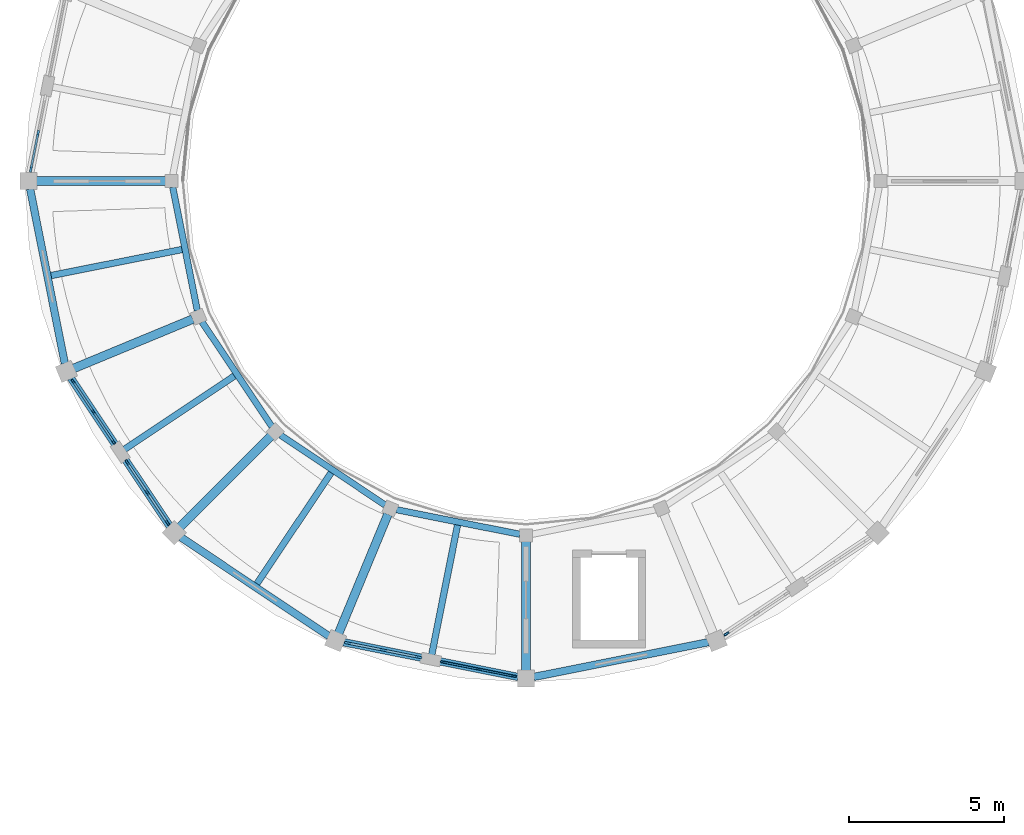
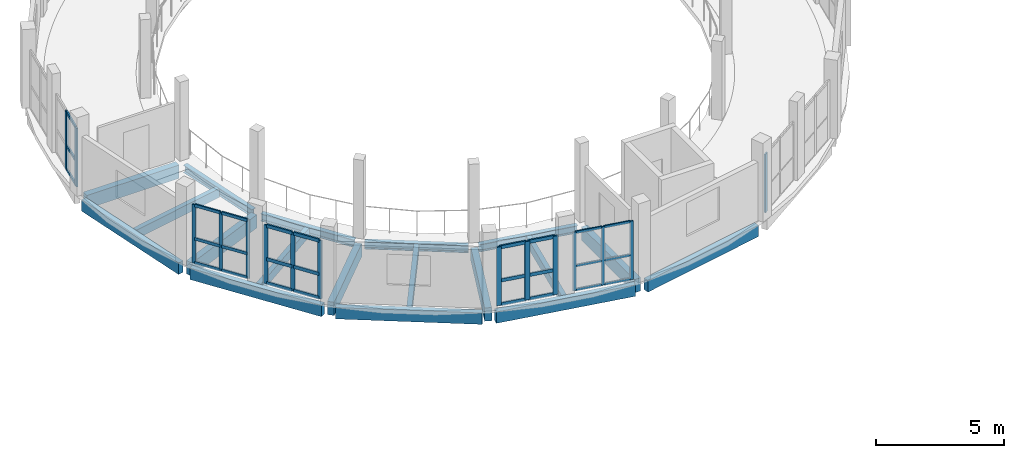
# One storey, part 33 of 77: 42 members, 18 beams, 6 elements without a shape of their own.
"""IFC4 building model written with IfcOpenShell, lengths in metres."""

import ifcopenshell
import ifcopenshell.guid

model = None  # the IFC model being written
_history = None  # IfcOwnerHistory: only IFC2X3 demands one
_inside = {}  # id of a spatial element -> (the spatial element, [elements in it])
_under = {}  # id of a project, library or spatial element -> (it, [spatial elements below it])
_declared = {}  # id of a project -> (the project, [libraries it declares])
_typed = {}  # id of a type object -> (the type object, [elements of that type])
_made_of = {}  # id of a material, layer set ... -> (it, [elements and type objects made of it])


def new_model(schema):
    """Start an empty IFC model of exactly this schema.

    Asked for "IFC4X3", IfcOpenShell would pick the latest addendum, in which some entities
    have other attributes; the version numbers below select the first issue.
    IFC2X3 requires an IfcOwnerHistory on every rooted entity: one is made here for all.
    """
    global model, _history
    if schema == "IFC4X3":
        model = ifcopenshell.file(schema_version=(4, 3, 0, 0))
    else:
        model = ifcopenshell.file(schema=schema)
    _inside.clear()
    _under.clear()
    _declared.clear()
    _typed.clear()
    _made_of.clear()
    _history = None
    if model.schema == "IFC2X3":
        org = make("IfcOrganization", Name="unknown")
        user = make(
            "IfcPersonAndOrganization",
            ThePerson=make("IfcPerson", FamilyName="unknown"),
            TheOrganization=org,
        )
        app = make(
            "IfcApplication",
            ApplicationDeveloper=org,
            Version="unknown",
            ApplicationFullName="unknown",
            ApplicationIdentifier="unknown",
        )
        _history = make(
            "IfcOwnerHistory",
            OwningUser=user,
            OwningApplication=app,
            ChangeAction="ADDED",
            CreationDate=0,
        )
    return model


def make(cls, **values):
    """One entity of the class cls with the attributes given. An attribute that is None is left unset."""
    return model.create_entity(
        cls, **{name: value for name, value in values.items() if value is not None}
    )


def rooted(cls, **values):
    """An entity with a GlobalId (a new one), such as an element, a storey or a relation."""
    return make(cls, GlobalId=ifcopenshell.guid.new(), OwnerHistory=_history, **values)


def si_unit(unit_type, name, prefix=None):
    """IfcSIUnit, for example si_unit("LENGTHUNIT", "METRE", prefix="MILLI")."""
    return make("IfcSIUnit", UnitType=unit_type, Prefix=prefix, Name=name)


def assignment(units):
    """IfcUnitAssignment: the units of a project."""
    return None if units is None else make("IfcUnitAssignment", Units=units)


def point(xyz):
    """IfcCartesianPoint."""
    return None if xyz is None else make("IfcCartesianPoint", Coordinates=xyz)


def direction(xyz):
    """IfcDirection."""
    return None if xyz is None else make("IfcDirection", DirectionRatios=xyz)


def frame(location, z_axis=None, x_axis=None):
    """IfcAxis2Placement3D, a coordinate frame: its origin and axes. An axis left out is left unset."""
    return make(
        "IfcAxis2Placement3D",
        Location=point(location),
        Axis=direction(z_axis),
        RefDirection=direction(x_axis),
    )


def frame_2d(location, x_axis=None):
    """IfcAxis2Placement2D, a coordinate frame in the plane: its origin and x axis."""
    return make(
        "IfcAxis2Placement2D", Location=point(location), RefDirection=direction(x_axis)
    )


def origin():
    """The frame at (0, 0, 0) with its axes left unset."""
    return frame((0.0, 0.0, 0.0))


def origin_2d():
    """The frame at (0, 0) in the plane with its x axis left unset."""
    return frame_2d((0.0, 0.0))


def place(relative_to, where):
    """IfcLocalPlacement: puts the frame where relative to a parent placement (None: the world)."""
    return make(
        "IfcLocalPlacement", PlacementRelTo=relative_to, RelativePlacement=where
    )


def context(
    kind, dimensions, precision=None, world=None, true_north=None, identifier=None
):
    """IfcGeometricRepresentationContext, for example the 3D "Model" context."""
    return make(
        "IfcGeometricRepresentationContext",
        ContextIdentifier=identifier,
        ContextType=kind,
        CoordinateSpaceDimension=dimensions,
        Precision=precision,
        WorldCoordinateSystem=world,
        TrueNorth=true_north,
    )


def subcontext(parent, identifier, kind, view, scale=None):
    """IfcGeometricRepresentationSubContext, for example "Body" below "Model"."""
    return make(
        "IfcGeometricRepresentationSubContext",
        ContextIdentifier=identifier,
        ContextType=kind,
        ParentContext=parent,
        TargetScale=scale,
        TargetView=view,
    )


def project(units=None, contexts=None):
    """IfcProject with its units and contexts."""
    return rooted(
        "IfcProject",
        Name="project",
        RepresentationContexts=contexts,
        UnitsInContext=assignment(units),
    )


def spatial(cls, under=None, at=None, **own):
    """A site, building, storey or space (cls), placed at a placement, below another one or the project."""
    s = rooted(cls, ObjectPlacement=at, **own)
    if under is not None:
        _under.setdefault(under.id(), (under, []))[1].append(s)
    return s


def profile(cls, at=None, kind="AREA", **sizes):
    """A parametric profile (cls). Its sizes go by their IFC names, for example OverallWidth=200.0."""
    return make(cls, ProfileType=kind, Position=at, **sizes)


def rectangle(**sizes):
    """IfcRectangleProfileDef."""
    return profile("IfcRectangleProfileDef", **sizes)


def i_section(**sizes):
    """IfcIShapeProfileDef."""
    return profile("IfcIShapeProfileDef", **sizes)


def extrude(swept, where, along, depth):
    """IfcExtrudedAreaSolid: the profile swept, set in the frame where, extruded along a direction by depth."""
    return make(
        "IfcExtrudedAreaSolid",
        SweptArea=swept,
        Position=where,
        ExtrudedDirection=direction(along),
        Depth=depth,
    )


def shape(context_of_items, identifier, shape_type, items):
    """IfcShapeRepresentation: the items that make up one representation, for example the "Body"."""
    return make(
        "IfcShapeRepresentation",
        ContextOfItems=context_of_items,
        RepresentationIdentifier=identifier,
        RepresentationType=shape_type,
        Items=items,
    )


def material(Name=None, Category=None):
    """IfcMaterial."""
    return make("IfcMaterial", Name=Name, Category=Category)


def layer(
    of_material, thickness, ventilated=None, Name=None, Category=None, Priority=None
):
    """IfcMaterialLayer: one layer of a wall or slab, of a material (None: an air gap)."""
    return make(
        "IfcMaterialLayer",
        Material=of_material,
        LayerThickness=thickness,
        IsVentilated=ventilated,
        Name=Name,
        Category=Category,
        Priority=Priority,
    )


def layer_set(layers, Name=None):
    """IfcMaterialLayerSet."""
    return make("IfcMaterialLayerSet", MaterialLayers=layers, LayerSetName=Name)


def material_profile(
    of_material, cross_section, Name=None, Category=None, Priority=None
):
    """IfcMaterialProfile: a cross section and its material."""
    return make(
        "IfcMaterialProfile",
        Name=Name,
        Material=of_material,
        Profile=cross_section,
        Priority=Priority,
        Category=Category,
    )


def profile_set(profiles, Name=None, composite=None):
    """IfcMaterialProfileSet."""
    return make(
        "IfcMaterialProfileSet",
        Name=Name,
        MaterialProfiles=profiles,
        CompositeProfile=composite,
    )


def made_of(thing, what):
    """Note that an element or type object is made of a material, layer set ...; save() writes the relation."""
    if what is not None:
        _made_of.setdefault(what.id(), (what, []))[1].append(thing)
    return thing


def type_object(cls, material=None, **own):
    """A type object (cls), such as IfcWallType, which elements share."""
    return made_of(rooted(cls, **own), material)


def element(
    cls,
    number,
    at=None,
    inside=None,
    cuts=None,
    type_object=None,
    material=None,
    context=None,
    identifier="Body",
    shape_type=None,
    held_by="IfcProductDefinitionShape",
    body=None,
    shapes=None,
    **own,
):
    """One element of the class cls, such as IfcWall. Its Tag is "e" and its number.

    at: its placement. inside: the storey or other place that contains it. cuts: it is an
    opening in that element (IfcRelVoidsElement). A single representation is given by context,
    identifier, shape_type and body (its items); several are given by shapes. held_by: the class
    of the entity that holds the representations. save() writes the other relations.
    """
    e = rooted(cls, Tag="e%d" % number, ObjectPlacement=at, **own)
    if body is not None:
        shapes = [shape(context, identifier, shape_type, body)]
    if shapes is not None:
        e.Representation = make(held_by, Representations=shapes)
    if inside is not None:
        _inside.setdefault(inside.id(), (inside, []))[1].append(e)
    if cuts is not None:
        rooted(
            "IfcRelVoidsElement", RelatingBuildingElement=cuts, RelatedOpeningElement=e
        )
    if type_object is not None:
        _typed.setdefault(type_object.id(), (type_object, []))[1].append(e)
    return made_of(e, material)


def aggregate(whole, parts):
    """IfcRelAggregates: a whole, such as a stair, and the parts it consists of."""
    return rooted("IfcRelAggregates", RelatingObject=whole, RelatedObjects=parts)


def save(model, path):
    """Write the relations noted so far, then the file.

    IfcRelAggregates (storeys below a building ...), IfcRelContainedInSpatialStructure (elements
    in a storey), IfcRelDefinesByType, IfcRelAssociatesMaterial and IfcRelDeclares: one each for
    every whole, place, type object, material and project.
    """
    for whole, parts in _under.values():
        aggregate(whole, parts)
    for where, things in _inside.values():
        rooted(
            "IfcRelContainedInSpatialStructure",
            RelatedElements=things,
            RelatingStructure=where,
        )
    for kind, things in _typed.values():
        rooted("IfcRelDefinesByType", RelatedObjects=things, RelatingType=kind)
    for what, things in _made_of.values():
        rooted("IfcRelAssociatesMaterial", RelatedObjects=things, RelatingMaterial=what)
    for by, libraries in _declared.values():
        rooted("IfcRelDeclares", RelatingContext=by, RelatedDefinitions=libraries)
    model.write(path)


model = new_model("IFC4")

# Units and contexts
model_context = context("Model", 3, precision=1e-05, world=origin(), true_north=direction((0.0, 1.0)))
body_context = subcontext(model_context, "Body", "Model", "MODEL_VIEW")
ifc_project = project(units=[si_unit("LENGTHUNIT", "METRE"), si_unit("AREAUNIT", "SQUARE_METRE"), si_unit("VOLUMEUNIT", "CUBIC_METRE"), si_unit("PLANEANGLEUNIT", "RADIAN"), si_unit("MASSUNIT", "GRAM", prefix="KILO")], contexts=[model_context])

# Site, building, storey
site_placement = place(None, origin())
site = spatial("IfcSite", under=ifc_project, at=site_placement, CompositionType="ELEMENT")
building_placement = place(site_placement, origin())
building = spatial("IfcBuilding", under=site, at=building_placement, Name="Caldaven Crescent School", CompositionType="ELEMENT")
storey_placement = place(building_placement, frame((0.0, 0.0, 4.419921875)))
storey = spatial("IfcBuildingStorey", under=building, at=storey_placement, Name="L01", CompositionType="ELEMENT", Elevation=4.419921875)

# Beams
ifc_material_1 = material(Name="Glulam MLE24h (GL28h)", Category="wood")
ifc_material_profile_1 = material_profile(ifc_material_1, rectangle(XDim=0.280029296875, YDim=0.6298828125, at=origin_2d()), Name="MLE 280x630")
ifc_profile_set_1 = profile_set([ifc_material_profile_1], Name="Glulam MLE24h (GL28h)")
beam_type_1 = type_object("IfcBeamType", Name="BM-GL63", PredefinedType="BEAM", material=ifc_profile_set_1)
for number, where, z_axis, x_axis, name in (
    (1, (11.89990234375, 98.5, -0.534912109375), (-1.0, 0.0, 0.0), (0.0, -1.0, 0.0), "BM-V2-L01-0318"),
    (2, (12.782958984375, 94.060791015625, -0.534912109375), (-0.923880985108, -0.382679925467, 0.0), (0.382679925467, -0.923880985108, 0.0), "BM-V2-L01-0322"),
):
    element("IfcBeam", number, at=place(storey_placement, frame(where, z_axis=z_axis, x_axis=x_axis)), inside=storey, type_object=beam_type_1, Name=name, PredefinedType="BEAM", context=body_context, shape_type="SweptSolid", body=[
        extrude(rectangle(XDim=0.280029296875, YDim=0.6298828125, at=origin_2d()), origin(), (0.0, 0.0, 1.0), 4.139892578125),
    ])
beam_1_placement = place(storey_placement, frame((15.297607421875, 90.297607421875, -0.534912109375), z_axis=(-0.707106781187, -0.707106781187, 0.0), x_axis=(0.707106781187, -0.707106781187, 0.0)))
element("IfcBeam", 3, at=beam_1_placement, inside=storey, type_object=beam_type_1, Name="BM-V2-L01-0326", PredefinedType="BEAM", context=body_context, shape_type="SweptSolid", body=[
    extrude(rectangle(XDim=0.280029296875, YDim=0.6298828125, at=origin_2d()), origin(), (0.0, 0.0, 1.0), 4.14013671875),
])
for number, where, z_axis, x_axis, name in (
    (4, (19.060791015625, 87.782958984375, -0.534912109375), (-0.382679925467, -0.923880985108, 0.0), (0.923880985108, -0.382679925467, 0.0), "BM-V2-L01-0330"),
    (5, (23.5, 86.89990234375, -0.534912109375), (0.0, -1.0, 0.0), (1.0, 0.0, 0.0), "BM-V2-L01-0334"),
):
    element("IfcBeam", number, at=place(storey_placement, frame(where, z_axis=z_axis, x_axis=x_axis)), inside=storey, type_object=beam_type_1, Name=name, PredefinedType="BEAM", context=body_context, shape_type="SweptSolid", body=[
        extrude(rectangle(XDim=0.280029296875, YDim=0.6298828125, at=origin_2d()), origin(), (0.0, 0.0, 1.0), 4.139892578125),
    ])
ifc_material_2 = material(Name="Steel ASTM A572 Grade 50", Category="steel")
ifc_material_profile_2 = material_profile(ifc_material_2, i_section(OverallWidth=0.205078125, OverallDepth=0.35400390625, WebThickness=0.009521484375, FlangeThickness=0.016845703125, FilletRadius=0.014892578125, at=origin_2d()), Name="W360x79")
ifc_profile_set_2 = profile_set([ifc_material_profile_2], Name="Steel ASTM A572 Grade 50")
beam_type_2 = type_object("IfcBeamType", Name="BM-W36", PredefinedType="BEAM", material=ifc_profile_set_2)
beam_2_placement = place(storey_placement, frame((12.138916015625, 98.303955078125, -0.39697265625), z_axis=(0.195095436925, -0.980784262971, 0.0), x_axis=(0.980784262971, 0.195095436925, 0.0)))
element("IfcBeam", 6, at=beam_2_placement, inside=storey, type_object=beam_type_2, Name="BM-V2-L01-0319", PredefinedType="BEAM", context=body_context, shape_type="SweptSolid", body=[
    extrude(i_section(OverallWidth=0.205078125, OverallDepth=0.35400390625, WebThickness=0.009521484375, FlangeThickness=0.016845703125, FilletRadius=0.014892578125, at=origin_2d()), origin(), (0.0, 0.0, 1.0), 4.04833984375),
])
for number, where, z_axis, x_axis, name in (
    (7, (13.078857421875, 93.97119140625, -0.39697265625), (0.55556277476, -0.831474595704, 0.0), (0.831474595704, 0.55556277476, 0.0), "BM-V2-L01-0323"),
    (8, (15.605224609375, 90.327880859375, -0.39697265625), (0.831474595704, -0.55556277476, 0.0), (0.55556277476, 0.831474595704, 0.0), "BM-V2-L01-0327"),
):
    element("IfcBeam", number, at=place(storey_placement, frame(where, z_axis=z_axis, x_axis=x_axis)), inside=storey, type_object=beam_type_2, Name=name, PredefinedType="BEAM", context=body_context, shape_type="SweptSolid", body=[
        extrude(i_section(OverallWidth=0.205078125, OverallDepth=0.35400390625, WebThickness=0.009521484375, FlangeThickness=0.016845703125, FilletRadius=0.014892578125, at=origin_2d()), origin(), (0.0, 0.0, 1.0), 4.048095703125),
    ])
beam_3_placement = place(storey_placement, frame((19.33349609375, 87.9287109375, -0.39697265625), z_axis=(0.980784262971, -0.195095436925, 0.0), x_axis=(0.195095436925, 0.980784262971, 0.0)))
element("IfcBeam", 9, at=beam_3_placement, inside=storey, type_object=beam_type_2, Name="BM-V2-L01-0331", PredefinedType="BEAM", context=body_context, shape_type="SweptSolid", body=[
    extrude(i_section(OverallWidth=0.205078125, OverallDepth=0.35400390625, WebThickness=0.009521484375, FlangeThickness=0.016845703125, FilletRadius=0.014892578125, at=origin_2d()), origin(), (0.0, 0.0, 1.0), 4.04833984375),
])

# Curtain wall, members
ifc_material_3 = material(Name="Anodised aluminium AA 6063-T6 and low-E double glazing", Category="aluminium")
ifc_layer_1 = layer(ifc_material_3, 0.18994140625)
ifc_layer_set_1 = layer_set([ifc_layer_1], Name="Anodised aluminium AA 6063-T6 and low-E double glazing")
curtain_wall_type_1 = type_object("IfcCurtainWallType", Name="CW-SYS2", PredefinedType="NOTDEFINED", material=ifc_layer_set_1)
curtain_wall_1_placement = place(storey_placement, origin())
curtain_wall_1 = element("IfcCurtainWall", 10, at=curtain_wall_1_placement, inside=storey, type_object=curtain_wall_type_1, Name="CW-L01-065", PredefinedType="NOTDEFINED")
ifc_material_4 = material(Name="Anodised aluminium AA 6063-T6", Category="aluminium")
ifc_material_profile_3 = material_profile(ifc_material_4, rectangle(XDim=0.06005859375, YDim=0.14990234375, at=origin_2d()), Name="CWM 60x150")
ifc_profile_set_3 = profile_set([ifc_material_profile_3], Name="Anodised aluminium AA 6063-T6")
member_type_1 = type_object("IfcMemberType", Name="CWM-T1", PredefinedType="MULLION", material=ifc_profile_set_3)
member_1_placement = place(storey_placement, frame((8.9345703125, 92.052734375, 0.0), z_axis=(0.0, 0.0, 1.0), x_axis=(0.831470060825, 0.555569561758, 0.0)))
member_1 = element("IfcMember", 11, at=member_1_placement, type_object=member_type_1, Name="CW2 mullion 1", PredefinedType="MULLION", context=body_context, shape_type="SweptSolid", body=[
    extrude(rectangle(XDim=0.06005859375, YDim=0.14990234375, at=origin_2d()), origin(), (0.0, 0.0, 1.0), 2.780029296875),
])
member_2_placement = place(storey_placement, frame((9.5849609375, 91.079345703125, 0.0), z_axis=(0.0, 0.0, 1.0), x_axis=(0.831470060825, 0.555569561758, 0.0)))
member_2 = element("IfcMember", 12, at=member_2_placement, type_object=member_type_1, Name="CW2 mullion 2", PredefinedType="MULLION", context=body_context, shape_type="SweptSolid", body=[
    extrude(rectangle(XDim=0.06005859375, YDim=0.14990234375, at=origin_2d()), origin(), (0.0, 0.0, 1.0), 2.780029296875),
])
member_3_placement = place(storey_placement, frame((10.2353515625, 90.10595703125, 0.0), z_axis=(0.0, 0.0, 1.0), x_axis=(0.831470060825, 0.555569561758, 0.0)))
member_3 = element("IfcMember", 13, at=member_3_placement, type_object=member_type_1, Name="CW2 mullion 3", PredefinedType="MULLION", context=body_context, shape_type="SweptSolid", body=[
    extrude(rectangle(XDim=0.06005859375, YDim=0.14990234375, at=origin_2d()), origin(), (0.0, 0.0, 1.0), 2.780029296875),
])

ifc_layer_2 = layer(ifc_material_3, 0.169921875)
ifc_layer_set_2 = layer_set([ifc_layer_2], Name="Anodised aluminium AA 6063-T6 and low-E double glazing")
curtain_wall_type_2 = type_object("IfcCurtainWallType", Name="CW-SYS1", PredefinedType="NOTDEFINED", material=ifc_layer_set_2)
curtain_wall_2_placement = place(storey_placement, origin())
curtain_wall_2 = element("IfcCurtainWall", 14, at=curtain_wall_2_placement, inside=storey, type_object=curtain_wall_type_2, Name="CW-L01-068", PredefinedType="NOTDEFINED")
member_4_placement = place(storey_placement, frame((20.821044921875, 83.032958984375, 0.0), z_axis=(0.0, 0.0, 1.0), x_axis=(0.19509100343, 0.980785144861, 0.0)))
member_4 = element("IfcMember", 15, at=member_4_placement, type_object=member_type_1, Name="CW1 mullion 1", PredefinedType="MULLION", context=body_context, shape_type="SweptSolid", body=[
    extrude(rectangle(XDim=0.06005859375, YDim=0.14990234375, at=origin_2d()), origin(), (0.0, 0.0, 1.0), 2.780029296875),
])
member_5_placement = place(storey_placement, frame((21.96923828125, 82.804443359375, 0.0), z_axis=(0.0, 0.0, 1.0), x_axis=(0.19509100343, 0.980785144861, 0.0)))
member_5 = element("IfcMember", 16, at=member_5_placement, type_object=member_type_1, Name="CW1 mullion 2", PredefinedType="MULLION", context=body_context, shape_type="SweptSolid", body=[
    extrude(rectangle(XDim=0.06005859375, YDim=0.14990234375, at=origin_2d()), origin(), (0.0, 0.0, 1.0), 2.780029296875),
])
member_6_placement = place(storey_placement, frame((23.117431640625, 82.576171875, 0.0), z_axis=(0.0, 0.0, 1.0), x_axis=(0.19509100343, 0.980785144861, 0.0)))
member_6 = element("IfcMember", 17, at=member_6_placement, type_object=member_type_1, Name="CW1 mullion 3", PredefinedType="MULLION", context=body_context, shape_type="SweptSolid", body=[
    extrude(rectangle(XDim=0.06005859375, YDim=0.14990234375, at=origin_2d()), origin(), (0.0, 0.0, 1.0), 2.780029296875),
])

ifc_layer_3 = layer(ifc_material_3, 0.2099609375)
ifc_layer_set_3 = layer_set([ifc_layer_3], Name="Anodised aluminium AA 6063-T6 and low-E double glazing")
curtain_wall_type_3 = type_object("IfcCurtainWallType", Name="CW-SYS3", PredefinedType="NOTDEFINED", material=ifc_layer_set_3)
curtain_wall_3_placement = place(storey_placement, origin())
curtain_wall_3 = element("IfcCurtainWall", 18, at=curtain_wall_3_placement, inside=storey, type_object=curtain_wall_type_3, Name="CW-L01-066", PredefinedType="NOTDEFINED")
ifc_material_profile_4 = material_profile(ifc_material_4, rectangle(XDim=0.06494140625, YDim=0.179931640625, at=origin_2d()), Name="CWM 65x180")
ifc_profile_set_4 = profile_set([ifc_material_profile_4], Name="Anodised aluminium AA 6063-T6")
member_type_2 = type_object("IfcMemberType", Name="CWM-T2", PredefinedType="MULLION", material=ifc_profile_set_4)
member_7_placement = place(storey_placement, frame((10.670166015625, 89.455322265625, 0.0), z_axis=(0.0, 0.0, 1.0), x_axis=(0.831468137234, 0.555572440609, 0.0)))
member_7 = element("IfcMember", 19, at=member_7_placement, type_object=member_type_2, Name="CW3 mullion 1", PredefinedType="MULLION", context=body_context, shape_type="SweptSolid", body=[
    extrude(rectangle(XDim=0.06494140625, YDim=0.179931640625, at=origin_2d()), origin(), (0.0, 0.0, 1.0), 2.780029296875),
])
member_8_placement = place(storey_placement, frame((11.319091796875, 88.48388671875, 0.0), z_axis=(0.0, 0.0, 1.0), x_axis=(0.831468137234, 0.555572440609, 0.0)))
member_8 = element("IfcMember", 20, at=member_8_placement, type_object=member_type_2, Name="CW3 mullion 2", PredefinedType="MULLION", context=body_context, shape_type="SweptSolid", body=[
    extrude(rectangle(XDim=0.06494140625, YDim=0.179931640625, at=origin_2d()), origin(), (0.0, 0.0, 1.0), 2.780029296875),
])
member_9_placement = place(storey_placement, frame((11.96826171875, 87.5126953125, 0.0), z_axis=(0.0, 0.0, 1.0), x_axis=(0.831468137234, 0.555572440609, 0.0)))
member_9 = element("IfcMember", 21, at=member_9_placement, type_object=member_type_2, Name="CW3 mullion 3", PredefinedType="MULLION", context=body_context, shape_type="SweptSolid", body=[
    extrude(rectangle(XDim=0.06494140625, YDim=0.179931640625, at=origin_2d()), origin(), (0.0, 0.0, 1.0), 2.780029296875),
])

# Curtain wall, member
curtain_wall_4_placement = place(storey_placement, origin())
curtain_wall_4 = element("IfcCurtainWall", 22, at=curtain_wall_4_placement, inside=storey, type_object=curtain_wall_type_1, Name="CW-L01-069", PredefinedType="NOTDEFINED")
member_10_placement = place(storey_placement, frame((29.94921875, 83.93603515625, 0.0), z_axis=(0.0, 0.0, 1.0), x_axis=(-0.555569561758, 0.831470060825, 0.0)))
member_10 = element("IfcMember", 23, at=member_10_placement, type_object=member_type_2, Name="CW2 mullion 1", PredefinedType="MULLION", context=body_context, shape_type="SweptSolid", body=[
    extrude(rectangle(XDim=0.06494140625, YDim=0.179931640625, at=origin_2d()), origin(), (0.0, 0.0, 1.0), 2.780029296875),
])
aggregate(curtain_wall_4, [member_10])

# Curtain wall, members
curtain_wall_5_placement = place(storey_placement, origin())
curtain_wall_5 = element("IfcCurtainWall", 24, at=curtain_wall_5_placement, inside=storey, type_object=curtain_wall_type_2, Name="CW-L01-064", PredefinedType="NOTDEFINED")
ifc_material_profile_5 = material_profile(ifc_material_4, rectangle(XDim=0.070068359375, YDim=0.2099609375, at=origin_2d()), Name="CWM 70x210")
ifc_profile_set_5 = profile_set([ifc_material_profile_5], Name="Anodised aluminium AA 6063-T6")
member_type_3 = type_object("IfcMemberType", Name="CWM-T3", PredefinedType="MULLION", material=ifc_profile_set_5)
member_11_placement = place(storey_placement, frame((7.804443359375, 100.03076171875, 0.0), z_axis=(0.0, 0.0, 1.0), x_axis=(0.980785144861, -0.19509100343, 0.0)))
member_11 = element("IfcMember", 25, at=member_11_placement, type_object=member_type_3, Name="CW1 mullion 2", PredefinedType="MULLION", context=body_context, shape_type="SweptSolid", body=[
    extrude(rectangle(XDim=0.070068359375, YDim=0.2099609375, at=origin_2d()), origin(), (0.0, 0.0, 1.0), 2.780029296875),
])
member_12_placement = place(storey_placement, frame((7.5771484375, 98.887451171875, 0.0), z_axis=(0.0, 0.0, 1.0), x_axis=(0.980785144861, -0.19509100343, 0.0)))
member_12 = element("IfcMember", 26, at=member_12_placement, type_object=member_type_3, Name="CW1 mullion 3", PredefinedType="MULLION", context=body_context, shape_type="SweptSolid", body=[
    extrude(rectangle(XDim=0.070068359375, YDim=0.2099609375, at=origin_2d()), origin(), (0.0, 0.0, 1.0), 2.780029296875),
])

ifc_layer_4 = layer(ifc_material_3, 0.22998046875)
ifc_layer_set_4 = layer_set([ifc_layer_4], Name="Anodised aluminium AA 6063-T6 and low-E double glazing")
curtain_wall_type_4 = type_object("IfcCurtainWallType", Name="CW-SYS4", PredefinedType="NOTDEFINED", material=ifc_layer_set_4)
curtain_wall_6_placement = place(storey_placement, origin())
curtain_wall_6 = element("IfcCurtainWall", 27, at=curtain_wall_6_placement, inside=storey, type_object=curtain_wall_type_4, Name="CW-L01-067", PredefinedType="NOTDEFINED")
member_13_placement = place(storey_placement, frame((17.764404296875, 83.640869140625, 0.0), z_axis=(0.0, 0.0, 1.0), x_axis=(0.195086997747, 0.980785941636, 0.0)))
member_13 = element("IfcMember", 28, at=member_13_placement, type_object=member_type_3, Name="CW4 mullion 1", PredefinedType="MULLION", context=body_context, shape_type="SweptSolid", body=[
    extrude(rectangle(XDim=0.070068359375, YDim=0.2099609375, at=origin_2d()), origin(), (0.0, 0.0, 1.0), 2.780029296875),
])
member_14_placement = place(storey_placement, frame((18.90771484375, 83.413330078125, 0.0), z_axis=(0.0, 0.0, 1.0), x_axis=(0.195086997747, 0.980785941636, 0.0)))
member_14 = element("IfcMember", 29, at=member_14_placement, type_object=member_type_3, Name="CW4 mullion 2", PredefinedType="MULLION", context=body_context, shape_type="SweptSolid", body=[
    extrude(rectangle(XDim=0.070068359375, YDim=0.2099609375, at=origin_2d()), origin(), (0.0, 0.0, 1.0), 2.780029296875),
])
member_15_placement = place(storey_placement, frame((20.051025390625, 83.18603515625, 0.0), z_axis=(0.0, 0.0, 1.0), x_axis=(0.195086997747, 0.980785941636, 0.0)))
member_15 = element("IfcMember", 30, at=member_15_placement, type_object=member_type_3, Name="CW4 mullion 3", PredefinedType="MULLION", context=body_context, shape_type="SweptSolid", body=[
    extrude(rectangle(XDim=0.070068359375, YDim=0.2099609375, at=origin_2d()), origin(), (0.0, 0.0, 1.0), 2.780029296875),
])

# Member
ifc_material_profile_6 = material_profile(ifc_material_4, rectangle(XDim=0.06005859375, YDim=0.1201171875, at=origin_2d()), Name="CWT 60x120")
ifc_profile_set_6 = profile_set([ifc_material_profile_6], Name="Anodised aluminium AA 6063-T6")
member_type_4 = type_object("IfcMemberType", Name="CWT-T1", PredefinedType="USERDEFINED", material=ifc_profile_set_6)
member_16_placement = place(storey_placement, frame((20.8505859375, 83.027099609375, 0.030029296875), z_axis=(0.98076622288, -0.195186106212, 0.0), x_axis=(0.195186106212, 0.98076622288, 0.0)))
member_16 = element("IfcMember", 31, at=member_16_placement, type_object=member_type_4, Name="CW1 transom 1.1", ObjectType="TRANSOM", PredefinedType="USERDEFINED", context=body_context, shape_type="SweptSolid", body=[
    extrude(rectangle(XDim=0.06005859375, YDim=0.1201171875, at=origin_2d()), origin(), (0.0, 0.0, 1.0), 1.11083984375),
])

member_17_placement = place(storey_placement, frame((20.8505859375, 83.027099609375, 1.16796875), z_axis=(0.98076622288, -0.195186106212, 0.0), x_axis=(0.195186106212, 0.98076622288, 0.0)))
member_17 = element("IfcMember", 32, at=member_17_placement, type_object=member_type_4, Name="CW1 transom 1.2", ObjectType="TRANSOM", PredefinedType="USERDEFINED", context=body_context, shape_type="SweptSolid", body=[
    extrude(rectangle(XDim=0.06005859375, YDim=0.1201171875, at=origin_2d()), origin(), (0.0, 0.0, 1.0), 1.11083984375),
])

member_18_placement = place(storey_placement, frame((20.8505859375, 83.027099609375, 2.75), z_axis=(0.98076622288, -0.195186106212, 0.0), x_axis=(0.195186106212, 0.98076622288, 0.0)))
member_18 = element("IfcMember", 33, at=member_18_placement, type_object=member_type_4, Name="CW1 transom 1.3", ObjectType="TRANSOM", PredefinedType="USERDEFINED", context=body_context, shape_type="SweptSolid", body=[
    extrude(rectangle(XDim=0.06005859375, YDim=0.1201171875, at=origin_2d()), origin(), (0.0, 0.0, 1.0), 1.11083984375),
])

member_19_placement = place(storey_placement, frame((21.998779296875, 82.798583984375, 0.030029296875), z_axis=(0.980808279432, -0.194974662451, 0.0), x_axis=(0.194974662451, 0.980808279432, 0.0)))
member_19 = element("IfcMember", 34, at=member_19_placement, type_object=member_type_4, Name="CW1 transom 2.1", ObjectType="TRANSOM", PredefinedType="USERDEFINED", context=body_context, shape_type="SweptSolid", body=[
    extrude(rectangle(XDim=0.06005859375, YDim=0.1201171875, at=origin_2d()), origin(), (0.0, 0.0, 1.0), 1.110595703125),
])

member_20_placement = place(storey_placement, frame((21.998779296875, 82.798583984375, 1.16796875), z_axis=(0.980808279432, -0.194974662451, 0.0), x_axis=(0.194974662451, 0.980808279432, 0.0)))
member_20 = element("IfcMember", 35, at=member_20_placement, type_object=member_type_4, Name="CW1 transom 2.2", ObjectType="TRANSOM", PredefinedType="USERDEFINED", context=body_context, shape_type="SweptSolid", body=[
    extrude(rectangle(XDim=0.06005859375, YDim=0.1201171875, at=origin_2d()), origin(), (0.0, 0.0, 1.0), 1.110595703125),
])

member_21_placement = place(storey_placement, frame((21.998779296875, 82.798583984375, 2.75), z_axis=(0.980808279432, -0.194974662451, 0.0), x_axis=(0.194974662451, 0.980808279432, 0.0)))
member_21 = element("IfcMember", 36, at=member_21_placement, type_object=member_type_4, Name="CW1 transom 2.3", ObjectType="TRANSOM", PredefinedType="USERDEFINED", context=body_context, shape_type="SweptSolid", body=[
    extrude(rectangle(XDim=0.06005859375, YDim=0.1201171875, at=origin_2d()), origin(), (0.0, 0.0, 1.0), 1.110595703125),
])

aggregate(curtain_wall_2, [member_4, member_5, member_6, member_16, member_17, member_18, member_19, member_20, member_21])

ifc_material_profile_7 = material_profile(ifc_material_4, rectangle(XDim=0.06494140625, YDim=0.139892578125, at=origin_2d()), Name="CWT 65x140")
ifc_profile_set_7 = profile_set([ifc_material_profile_7], Name="Anodised aluminium AA 6063-T6")
member_type_5 = type_object("IfcMemberType", Name="CWT-T2", PredefinedType="USERDEFINED", material=ifc_profile_set_7)
member_22_placement = place(storey_placement, frame((7.797607421875, 99.996337890625, 0.032470703125), z_axis=(-0.194959098501, -0.980811373258, 0.0), x_axis=(0.980811373258, -0.194959098501, 0.0)))
member_22 = element("IfcMember", 37, at=member_22_placement, type_object=member_type_5, Name="CW1 transom 2.1", ObjectType="TRANSOM", PredefinedType="USERDEFINED", context=body_context, shape_type="SweptSolid", body=[
    extrude(rectangle(XDim=0.06494140625, YDim=0.139892578125, at=origin_2d()), origin(), (0.0, 0.0, 1.0), 1.095703125),
])

member_23_placement = place(storey_placement, frame((7.797607421875, 99.996337890625, 1.16796875), z_axis=(-0.194959098501, -0.980811373258, 0.0), x_axis=(0.980811373258, -0.194959098501, 0.0)))
member_23 = element("IfcMember", 38, at=member_23_placement, type_object=member_type_5, Name="CW1 transom 2.2", ObjectType="TRANSOM", PredefinedType="USERDEFINED", context=body_context, shape_type="SweptSolid", body=[
    extrude(rectangle(XDim=0.06494140625, YDim=0.139892578125, at=origin_2d()), origin(), (0.0, 0.0, 1.0), 1.095703125),
])

member_24_placement = place(storey_placement, frame((7.797607421875, 99.996337890625, 2.74755859375), z_axis=(-0.194959098501, -0.980811373258, 0.0), x_axis=(0.980811373258, -0.194959098501, 0.0)))
member_24 = element("IfcMember", 39, at=member_24_placement, type_object=member_type_5, Name="CW1 transom 2.3", ObjectType="TRANSOM", PredefinedType="USERDEFINED", context=body_context, shape_type="SweptSolid", body=[
    extrude(rectangle(XDim=0.06494140625, YDim=0.139892578125, at=origin_2d()), origin(), (0.0, 0.0, 1.0), 1.095703125),
])

aggregate(curtain_wall_5, [member_11, member_12, member_22, member_23, member_24])

member_25_placement = place(storey_placement, frame((8.951171875, 92.02783203125, 0.032470703125), z_axis=(0.555612809368, -0.831441162119, 0.0), x_axis=(0.831441162119, 0.555612809368, 0.0)))
member_25 = element("IfcMember", 40, at=member_25_placement, type_object=member_type_5, Name="CW2 transom 1.1", ObjectType="TRANSOM", PredefinedType="USERDEFINED", context=body_context, shape_type="SweptSolid", body=[
    extrude(rectangle(XDim=0.06494140625, YDim=0.139892578125, at=origin_2d()), origin(), (0.0, 0.0, 1.0), 1.11083984375),
])

member_26_placement = place(storey_placement, frame((8.951171875, 92.02783203125, 1.16796875), z_axis=(0.555612809368, -0.831441162119, 0.0), x_axis=(0.831441162119, 0.555612809368, 0.0)))
member_26 = element("IfcMember", 41, at=member_26_placement, type_object=member_type_5, Name="CW2 transom 1.2", ObjectType="TRANSOM", PredefinedType="USERDEFINED", context=body_context, shape_type="SweptSolid", body=[
    extrude(rectangle(XDim=0.06494140625, YDim=0.139892578125, at=origin_2d()), origin(), (0.0, 0.0, 1.0), 1.11083984375),
])

member_27_placement = place(storey_placement, frame((8.951171875, 92.02783203125, 2.74755859375), z_axis=(0.555612809368, -0.831441162119, 0.0), x_axis=(0.831441162119, 0.555612809368, 0.0)))
member_27 = element("IfcMember", 42, at=member_27_placement, type_object=member_type_5, Name="CW2 transom 1.3", ObjectType="TRANSOM", PredefinedType="USERDEFINED", context=body_context, shape_type="SweptSolid", body=[
    extrude(rectangle(XDim=0.06494140625, YDim=0.139892578125, at=origin_2d()), origin(), (0.0, 0.0, 1.0), 1.11083984375),
])

member_28_placement = place(storey_placement, frame((9.6015625, 91.054443359375, 0.032470703125), z_axis=(0.555612809368, -0.831441162119, 0.0), x_axis=(0.831441162119, 0.555612809368, 0.0)))
member_28 = element("IfcMember", 43, at=member_28_placement, type_object=member_type_5, Name="CW2 transom 2.1", ObjectType="TRANSOM", PredefinedType="USERDEFINED", context=body_context, shape_type="SweptSolid", body=[
    extrude(rectangle(XDim=0.06494140625, YDim=0.139892578125, at=origin_2d()), origin(), (0.0, 0.0, 1.0), 1.11083984375),
])

member_29_placement = place(storey_placement, frame((9.6015625, 91.054443359375, 1.16796875), z_axis=(0.555612809368, -0.831441162119, 0.0), x_axis=(0.831441162119, 0.555612809368, 0.0)))
member_29 = element("IfcMember", 44, at=member_29_placement, type_object=member_type_5, Name="CW2 transom 2.2", ObjectType="TRANSOM", PredefinedType="USERDEFINED", context=body_context, shape_type="SweptSolid", body=[
    extrude(rectangle(XDim=0.06494140625, YDim=0.139892578125, at=origin_2d()), origin(), (0.0, 0.0, 1.0), 1.11083984375),
])

member_30_placement = place(storey_placement, frame((9.6015625, 91.054443359375, 2.74755859375), z_axis=(0.555612809368, -0.831441162119, 0.0), x_axis=(0.831441162119, 0.555612809368, 0.0)))
member_30 = element("IfcMember", 45, at=member_30_placement, type_object=member_type_5, Name="CW2 transom 2.3", ObjectType="TRANSOM", PredefinedType="USERDEFINED", context=body_context, shape_type="SweptSolid", body=[
    extrude(rectangle(XDim=0.06494140625, YDim=0.139892578125, at=origin_2d()), origin(), (0.0, 0.0, 1.0), 1.11083984375),
])

aggregate(curtain_wall_1, [member_1, member_2, member_3, member_25, member_26, member_27, member_28, member_29, member_30])

ifc_material_profile_8 = material_profile(ifc_material_4, rectangle(XDim=0.070068359375, YDim=0.159912109375, at=origin_2d()), Name="CWT 70x160")
ifc_profile_set_8 = profile_set([ifc_material_profile_8], Name="Anodised aluminium AA 6063-T6")
member_type_6 = type_object("IfcMemberType", Name="CWT-T3", PredefinedType="USERDEFINED", material=ifc_profile_set_8)
member_31_placement = place(storey_placement, frame((10.688232421875, 89.42822265625, 0.03515625), z_axis=(0.555517115994, -0.83150510151, 0.0), x_axis=(0.83150510151, 0.555517115994, 0.0)))
member_31 = element("IfcMember", 46, at=member_31_placement, type_object=member_type_6, Name="CW3 transom 1.1", ObjectType="TRANSOM", PredefinedType="USERDEFINED", context=body_context, shape_type="SweptSolid", body=[
    extrude(rectangle(XDim=0.070068359375, YDim=0.159912109375, at=origin_2d()), origin(), (0.0, 0.0, 1.0), 1.10302734375),
])

member_32_placement = place(storey_placement, frame((10.688232421875, 89.42822265625, 1.16796875), z_axis=(0.555517115994, -0.83150510151, 0.0), x_axis=(0.83150510151, 0.555517115994, 0.0)))
member_32 = element("IfcMember", 47, at=member_32_placement, type_object=member_type_6, Name="CW3 transom 1.2", ObjectType="TRANSOM", PredefinedType="USERDEFINED", context=body_context, shape_type="SweptSolid", body=[
    extrude(rectangle(XDim=0.070068359375, YDim=0.159912109375, at=origin_2d()), origin(), (0.0, 0.0, 1.0), 1.10302734375),
])

member_33_placement = place(storey_placement, frame((10.688232421875, 89.42822265625, 2.7451171875), z_axis=(0.555517115994, -0.83150510151, 0.0), x_axis=(0.83150510151, 0.555517115994, 0.0)))
member_33 = element("IfcMember", 48, at=member_33_placement, type_object=member_type_6, Name="CW3 transom 1.3", ObjectType="TRANSOM", PredefinedType="USERDEFINED", context=body_context, shape_type="SweptSolid", body=[
    extrude(rectangle(XDim=0.070068359375, YDim=0.159912109375, at=origin_2d()), origin(), (0.0, 0.0, 1.0), 1.10302734375),
])

member_34_placement = place(storey_placement, frame((11.337158203125, 88.45703125, 0.03515625), z_axis=(0.555567889443, -0.831471178226, 0.0), x_axis=(0.831471178226, 0.555567889443, 0.0)))
member_34 = element("IfcMember", 49, at=member_34_placement, type_object=member_type_6, Name="CW3 transom 2.1", ObjectType="TRANSOM", PredefinedType="USERDEFINED", context=body_context, shape_type="SweptSolid", body=[
    extrude(rectangle(XDim=0.070068359375, YDim=0.159912109375, at=origin_2d()), origin(), (0.0, 0.0, 1.0), 1.103515625),
])

member_35_placement = place(storey_placement, frame((11.337158203125, 88.45703125, 1.16796875), z_axis=(0.555567889443, -0.831471178226, 0.0), x_axis=(0.831471178226, 0.555567889443, 0.0)))
member_35 = element("IfcMember", 50, at=member_35_placement, type_object=member_type_6, Name="CW3 transom 2.2", ObjectType="TRANSOM", PredefinedType="USERDEFINED", context=body_context, shape_type="SweptSolid", body=[
    extrude(rectangle(XDim=0.070068359375, YDim=0.159912109375, at=origin_2d()), origin(), (0.0, 0.0, 1.0), 1.103515625),
])

member_36_placement = place(storey_placement, frame((11.337158203125, 88.45703125, 2.7451171875), z_axis=(0.555567889443, -0.831471178226, 0.0), x_axis=(0.831471178226, 0.555567889443, 0.0)))
member_36 = element("IfcMember", 51, at=member_36_placement, type_object=member_type_6, Name="CW3 transom 2.3", ObjectType="TRANSOM", PredefinedType="USERDEFINED", context=body_context, shape_type="SweptSolid", body=[
    extrude(rectangle(XDim=0.070068359375, YDim=0.159912109375, at=origin_2d()), origin(), (0.0, 0.0, 1.0), 1.103515625),
])

aggregate(curtain_wall_3, [member_7, member_8, member_9, member_31, member_32, member_33, member_34, member_35, member_36])

member_37_placement = place(storey_placement, frame((17.798828125, 83.634033203125, 0.03515625), z_axis=(0.98076874631, -0.195173426117, 0.0), x_axis=(0.195173426117, 0.98076874631, 0.0)))
member_37 = element("IfcMember", 52, at=member_37_placement, type_object=member_type_6, Name="CW4 transom 1.1", ObjectType="TRANSOM", PredefinedType="USERDEFINED", context=body_context, shape_type="SweptSolid", body=[
    extrude(rectangle(XDim=0.070068359375, YDim=0.159912109375, at=origin_2d()), origin(), (0.0, 0.0, 1.0), 1.095703125),
])

member_38_placement = place(storey_placement, frame((17.798828125, 83.634033203125, 1.16796875), z_axis=(0.98076874631, -0.195173426117, 0.0), x_axis=(0.195173426117, 0.98076874631, 0.0)))
member_38 = element("IfcMember", 53, at=member_38_placement, type_object=member_type_6, Name="CW4 transom 1.2", ObjectType="TRANSOM", PredefinedType="USERDEFINED", context=body_context, shape_type="SweptSolid", body=[
    extrude(rectangle(XDim=0.070068359375, YDim=0.159912109375, at=origin_2d()), origin(), (0.0, 0.0, 1.0), 1.095703125),
])

member_39_placement = place(storey_placement, frame((17.798828125, 83.634033203125, 2.7451171875), z_axis=(0.98076874631, -0.195173426117, 0.0), x_axis=(0.195173426117, 0.98076874631, 0.0)))
member_39 = element("IfcMember", 54, at=member_39_placement, type_object=member_type_6, Name="CW4 transom 1.3", ObjectType="TRANSOM", PredefinedType="USERDEFINED", context=body_context, shape_type="SweptSolid", body=[
    extrude(rectangle(XDim=0.070068359375, YDim=0.159912109375, at=origin_2d()), origin(), (0.0, 0.0, 1.0), 1.095703125),
])

member_40_placement = place(storey_placement, frame((18.942138671875, 83.40673828125, 0.03515625), z_axis=(0.98076874631, -0.195173426117, 0.0), x_axis=(0.195173426117, 0.98076874631, 0.0)))
member_40 = element("IfcMember", 55, at=member_40_placement, type_object=member_type_6, Name="CW4 transom 2.1", ObjectType="TRANSOM", PredefinedType="USERDEFINED", context=body_context, shape_type="SweptSolid", body=[
    extrude(rectangle(XDim=0.070068359375, YDim=0.159912109375, at=origin_2d()), origin(), (0.0, 0.0, 1.0), 1.095703125),
])

member_41_placement = place(storey_placement, frame((18.942138671875, 83.40673828125, 1.16796875), z_axis=(0.98076874631, -0.195173426117, 0.0), x_axis=(0.195173426117, 0.98076874631, 0.0)))
member_41 = element("IfcMember", 56, at=member_41_placement, type_object=member_type_6, Name="CW4 transom 2.2", ObjectType="TRANSOM", PredefinedType="USERDEFINED", context=body_context, shape_type="SweptSolid", body=[
    extrude(rectangle(XDim=0.070068359375, YDim=0.159912109375, at=origin_2d()), origin(), (0.0, 0.0, 1.0), 1.095703125),
])

member_42_placement = place(storey_placement, frame((18.942138671875, 83.40673828125, 2.7451171875), z_axis=(0.98076874631, -0.195173426117, 0.0), x_axis=(0.195173426117, 0.98076874631, 0.0)))
member_42 = element("IfcMember", 57, at=member_42_placement, type_object=member_type_6, Name="CW4 transom 2.3", ObjectType="TRANSOM", PredefinedType="USERDEFINED", context=body_context, shape_type="SweptSolid", body=[
    extrude(rectangle(XDim=0.070068359375, YDim=0.159912109375, at=origin_2d()), origin(), (0.0, 0.0, 1.0), 1.095703125),
])

aggregate(curtain_wall_6, [member_13, member_14, member_15, member_37, member_38, member_39, member_40, member_41, member_42])

# Beams
ifc_material_profile_9 = material_profile(ifc_material_1, rectangle(XDim=0.2099609375, YDim=0.419921875, at=origin_2d()), Name="MLE 210x420")
ifc_profile_set_9 = profile_set([ifc_material_profile_9], Name="Glulam MLE24h (GL28h)")
beam_type_3 = type_object("IfcBeamType", Name="JS-GL42", PredefinedType="JOIST", material=ifc_profile_set_9)
beam_4_placement = place(storey_placement, frame((12.435791015625, 96.29931640625, -0.429931640625), z_axis=(-0.980779272927, -0.195120521208, 0.0), x_axis=(0.195120521208, -0.980779272927, 0.0)))
element("IfcBeam", 58, at=beam_4_placement, inside=storey, type_object=beam_type_3, Name="JS-V2-L01-0321", PredefinedType="JOIST", context=body_context, shape_type="SweptSolid", body=[
    extrude(rectangle(XDim=0.2099609375, YDim=0.419921875, at=origin_2d()), origin(), (0.0, 0.0, 1.0), 4.291748046875),
])
for number, where, z_axis, x_axis, name in (
    (59, (14.1201171875, 92.232666015625, -0.429931640625), (-0.831454653255, -0.555592620164, 0.0), (0.555592620164, -0.831454653255, 0.0), "JS-V2-L01-0325"),
    (60, (17.232666015625, 89.1201171875, -0.429931640625), (-0.555592620164, -0.831454653255, 0.0), (0.831454653255, -0.555592620164, 0.0), "JS-V2-L01-0329"),
):
    element("IfcBeam", number, at=place(storey_placement, frame(where, z_axis=z_axis, x_axis=x_axis)), inside=storey, type_object=beam_type_3, Name=name, PredefinedType="JOIST", context=body_context, shape_type="SweptSolid", body=[
        extrude(rectangle(XDim=0.2099609375, YDim=0.419921875, at=origin_2d()), origin(), (0.0, 0.0, 1.0), 4.29150390625),
    ])
beam_5_placement = place(storey_placement, frame((21.29931640625, 87.435791015625, -0.429931640625), z_axis=(-0.195120521208, -0.980779272927, 0.0), x_axis=(0.980779272927, -0.195120521208, 0.0)))
element("IfcBeam", 61, at=beam_5_placement, inside=storey, type_object=beam_type_3, Name="JS-V2-L01-0333", PredefinedType="JOIST", context=body_context, shape_type="SweptSolid", body=[
    extrude(rectangle(XDim=0.2099609375, YDim=0.419921875, at=origin_2d()), origin(), (0.0, 0.0, 1.0), 4.291748046875),
])
ifc_material_profile_10 = material_profile(ifc_material_1, rectangle(XDim=0.239990234375, YDim=0.5400390625, at=origin_2d()), Name="MLE 240x540")
ifc_profile_set_10 = profile_set([ifc_material_profile_10], Name="Glulam MLE24h (GL28h)")
beam_type_4 = type_object("IfcBeamType", Name="SP-GL54", PredefinedType="SPANDREL", material=ifc_profile_set_10)
for number, where, z_axis, x_axis, name in (
    (62, (7.55078125, 98.2451171875, -0.489990234375), (0.195082351248, -0.980786865854, 0.0), (0.980786865854, 0.195082351248, 0.0), "BM-V2-L01-0320"),
    (63, (8.8623046875, 92.160888671875, -0.489990234375), (0.555576082938, -0.831465703483, 0.0), (0.831465703483, 0.555576082938, 0.0), "BM-V2-L01-0324"),
    (64, (12.402587890625, 87.041748046875, -0.489990234375), (0.831465703483, -0.555576082938, 0.0), (0.555576082938, 0.831465703483, 0.0), "BM-V2-L01-0328"),
    (65, (17.632080078125, 83.667236328125, -0.489990234375), (0.980786865854, -0.195082351248, 0.0), (0.195082351248, 0.980786865854, 0.0), "BM-V2-L01-0332"),
    (66, (23.7548828125, 82.55078125, -0.489990234375), (0.980786865854, 0.195082351248, 0.0), (-0.195082351248, 0.980786865854, 0.0), "BM-V2-L01-0336"),
):
    element("IfcBeam", number, at=place(storey_placement, frame(where, z_axis=z_axis, x_axis=x_axis)), inside=storey, type_object=beam_type_4, Name=name, PredefinedType="SPANDREL", context=body_context, shape_type="SweptSolid", body=[
        extrude(rectangle(XDim=0.239990234375, YDim=0.5400390625, at=origin_2d()), origin(), (0.0, 0.0, 1.0), 5.722900390625),
    ])

save(model, "model.ifc")
